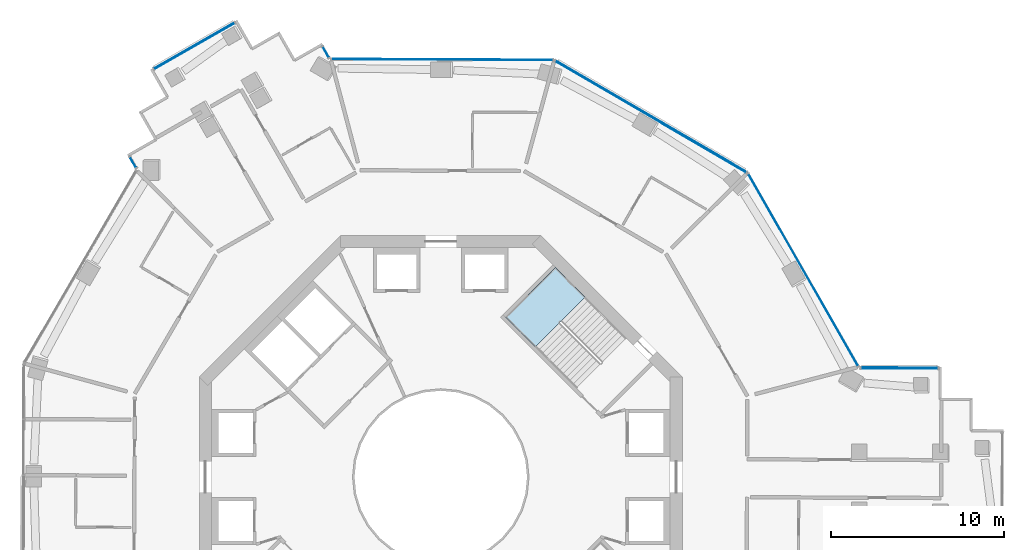
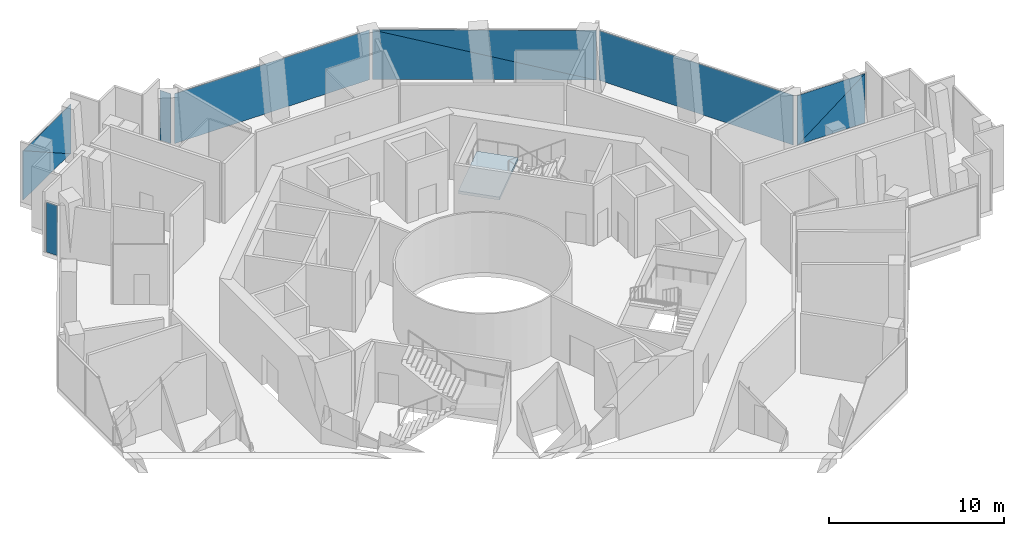
# One storey, part 9 of 16: 10 plates, 1 slab, 8 elements without a shape of their own.
"""IFC4 building model written with IfcOpenShell, lengths in metres."""

from ifc_helpers import new_model, si_unit, direction, frame, origin, origin_2d, place, context, subcontext, project, spatial, polyline, rectangle, outline, extrude, material, layer, layer_set, type_object, element, aggregate, save


model = new_model("IFC4")

# Units and contexts
model_context = context("Model", 3, precision=1e-05, world=origin(), true_north=direction((0.0, 1.0)))
body_context = subcontext(model_context, "Body", "Model", "MODEL_VIEW")
ifc_project = project(units=[si_unit("LENGTHUNIT", "METRE"), si_unit("AREAUNIT", "SQUARE_METRE"), si_unit("VOLUMEUNIT", "CUBIC_METRE"), si_unit("PLANEANGLEUNIT", "RADIAN"), si_unit("MASSUNIT", "GRAM", prefix="KILO")], contexts=[model_context])

# Site, building, storey
site_placement = place(None, origin())
site = spatial("IfcSite", under=ifc_project, at=site_placement, CompositionType="ELEMENT")
building_placement = place(site_placement, origin())
building = spatial("IfcBuilding", under=site, at=building_placement, Name="Verdalira Terraces Hotel", CompositionType="ELEMENT")
storey_placement = place(building_placement, frame((0.0, 0.0, 154.0)))
storey = spatial("IfcBuildingStorey", under=building, at=storey_placement, Name="L37", CompositionType="ELEMENT", Elevation=154.0)

# Curtain wall, plate
ifc_material_1 = material(Name="Clear glass", Category="glass")
ifc_layer_1 = layer(ifc_material_1, 0.179931640625)
ifc_layer_set_1 = layer_set([ifc_layer_1], Name="CW4 curtain wall")
curtain_wall_type = type_object("IfcCurtainWallType", Name="CW4 curtain wall", PredefinedType="NOTDEFINED", material=ifc_layer_set_1)
curtain_wall_1_placement = place(storey_placement, origin())
curtain_wall_1 = element("IfcCurtainWall", 1, at=curtain_wall_1_placement, inside=storey, type_object=curtain_wall_type, Name="CW4 curtain wall L37 edge 0", PredefinedType="NOTDEFINED")
ifc_material_2 = material(Name="Clear glass", Category="glass")
ifc_layer_2 = layer(ifc_material_2, 0.035888671875)
ifc_layer_set_2 = layer_set([ifc_layer_2], Name="CW4 glass unit 36")
plate_type = type_object("IfcPlateType", Name="CW4 glass unit 36", PredefinedType="CURTAIN_PANEL", material=ifc_layer_set_2)
plate_1_placement = place(storey_placement, frame((-6.665771, 24.63208, 0.0), z_axis=(0.0, 0.0, 1.0), x_axis=(-0.496368025, 0.868112195, 0.0)))
plate_1 = element("IfcPlate", 2, at=plate_1_placement, type_object=plate_type, Name="CW4 glass unit", PredefinedType="CURTAIN_PANEL", context=body_context, shape_type="SweptSolid", body=[
    extrude(rectangle(XDim=0.702637, YDim=0.035889, at=origin_2d()), origin(), (0.0, 0.0, 1.0), 3.469971),
])
aggregate(curtain_wall_1, [plate_1])

# Curtain wall, plates
curtain_wall_2_placement = place(storey_placement, origin())
curtain_wall_2 = element("IfcCurtainWall", 3, at=curtain_wall_2_placement, inside=storey, type_object=curtain_wall_type, Name="CW4 curtain wall L37 edge 5", PredefinedType="NOTDEFINED")
plate_2_placement = place(storey_placement, frame((-14.285889, 24.984619, 1.735107), z_axis=(-0.496368025, 0.868112195, 0.0), x_axis=(-0.868112195, -0.496368025, 0.0)))
plate_2 = element("IfcPlate", 4, at=plate_2_placement, type_object=plate_type, Name="CW4 glass unit", PredefinedType="CURTAIN_PANEL", context=body_context, shape_type="SweptSolid", body=[
    extrude(outline(polyline([(-2.685059, -1.734863), (2.685059, -1.734863), (2.685059, 1.734863), (-2.685059, -1.734863)])), origin(), (0.0, 0.0, 1.0), 0.035889),
])
plate_3_placement = place(storey_placement, frame((-14.267334, 24.952393, 1.735107), z_axis=(-0.496368025, 0.868112195, 0.0), x_axis=(-0.868112195, -0.496368025, 0.0)))
plate_3 = element("IfcPlate", 5, at=plate_3_placement, type_object=plate_type, Name="CW4 glass unit", PredefinedType="CURTAIN_PANEL", context=body_context, shape_type="SweptSolid", body=[
    extrude(outline(polyline([(-2.685059, -1.734863), (2.685059, 1.734863), (-2.685059, 1.734863), (-2.685059, -1.734863)])), origin(), (0.0, 0.0, 1.0), 0.035889),
])
aggregate(curtain_wall_2, [plate_2, plate_3])

# Curtain wall, plate
curtain_wall_3_placement = place(storey_placement, origin())
curtain_wall_3 = element("IfcCurtainWall", 6, at=curtain_wall_3_placement, inside=storey, type_object=curtain_wall_type, Name="CW4 curtain wall L37 edge 10", PredefinedType="NOTDEFINED")
plate_4_placement = place(storey_placement, frame((-17.846924, 18.23877, 0.0), z_axis=(0.0, 0.0, 1.0), x_axis=(0.496368025, -0.868112195, 0.0)))
plate_4 = element("IfcPlate", 7, at=plate_4_placement, type_object=plate_type, Name="CW4 glass unit", PredefinedType="CURTAIN_PANEL", context=body_context, shape_type="SweptSolid", body=[
    extrude(rectangle(XDim=0.702637, YDim=0.035889, at=origin_2d()), origin(), (0.0, 0.0, 1.0), 3.469971),
])
aggregate(curtain_wall_3, [plate_4])

# Curtain wall, plates
curtain_wall_4_placement = place(storey_placement, origin())
curtain_wall_4 = element("IfcCurtainWall", 8, at=curtain_wall_4_placement, inside=storey, type_object=curtain_wall_type, Name="CW4 curtain wall L37 edge 38", PredefinedType="NOTDEFINED")
plate_5_placement = place(storey_placement, frame((26.593994, 6.310791, 1.735107), z_axis=(0.004188778, 0.999991227, 0.0), x_axis=(-0.999991227, 0.004188778, 0.0)))
plate_5 = element("IfcPlate", 9, at=plate_5_placement, type_object=plate_type, Name="CW4 glass unit", PredefinedType="CURTAIN_PANEL", context=body_context, shape_type="SweptSolid", body=[
    extrude(outline(polyline([(-2.226562, -1.734863), (2.226562, -1.734863), (-2.226562, 1.734863), (-2.226562, -1.734863)])), origin(), (0.0, 0.0, 1.0), 0.035889),
])
plate_6_placement = place(storey_placement, frame((26.59375, 6.273682, 1.735107), z_axis=(0.004188778, 0.999991227, 0.0), x_axis=(-0.999991227, 0.004188778, 0.0)))
plate_6 = element("IfcPlate", 10, at=plate_6_placement, type_object=plate_type, Name="CW4 glass unit", PredefinedType="CURTAIN_PANEL", context=body_context, shape_type="SweptSolid", body=[
    extrude(outline(polyline([(2.226562, -1.734863), (2.226562, 1.734863), (-2.226562, 1.734863), (2.226562, -1.734863)])), origin(), (0.0, 0.0, 1.0), 0.035889),
])
aggregate(curtain_wall_4, [plate_5, plate_6])

# Curtain wall, plate
curtain_wall_5_placement = place(storey_placement, origin())
curtain_wall_5 = element("IfcCurtainWall", 11, at=curtain_wall_5_placement, inside=storey, type_object=curtain_wall_type, Name="CW4 curtain wall L37 edge 39", PredefinedType="NOTDEFINED")
plate_7_placement = place(storey_placement, frame((21.012451, 12.001465, 0.0), z_axis=(0.0, 0.0, 1.0), x_axis=(-0.496368025, 0.868112195, 0.0)))
plate_7 = element("IfcPlate", 12, at=plate_7_placement, type_object=plate_type, Name="CW4 glass unit", PredefinedType="CURTAIN_PANEL", context=body_context, shape_type="SweptSolid", body=[
    extrude(rectangle(XDim=12.8125, YDim=0.035889, at=origin_2d()), origin(), (0.0, 0.0, 1.0), 3.469971),
])
aggregate(curtain_wall_5, [plate_7])

# Curtain wall, plates
curtain_wall_6_placement = place(storey_placement, origin())
curtain_wall_6 = element("IfcCurtainWall", 13, at=curtain_wall_6_placement, inside=storey, type_object=curtain_wall_type, Name="CW4 curtain wall L37 edge 40", PredefinedType="NOTDEFINED")
plate_8_placement = place(storey_placement, frame((12.177734, 20.890137, 1.735107), z_axis=(0.503623202, 0.863923417, 0.0), x_axis=(-0.863923417, 0.503623202, 0.0)))
plate_8 = element("IfcPlate", 14, at=plate_8_placement, type_object=plate_type, Name="CW4 glass unit", PredefinedType="CURTAIN_PANEL", context=body_context, shape_type="SweptSolid", body=[
    extrude(outline(polyline([(-6.394775, -1.734863), (6.394775, -1.734863), (6.394775, 1.734863), (-6.394775, -1.734863)])), origin(), (0.0, 0.0, 1.0), 0.035889),
])
plate_9_placement = place(storey_placement, frame((12.158936, 20.85791, 1.735107), z_axis=(0.503623202, 0.863923417, 0.0), x_axis=(-0.863923417, 0.503623202, 0.0)))
plate_9 = element("IfcPlate", 15, at=plate_9_placement, type_object=plate_type, Name="CW4 glass unit", PredefinedType="CURTAIN_PANEL", context=body_context, shape_type="SweptSolid", body=[
    extrude(outline(polyline([(-6.394775, -1.734863), (6.394775, 1.734863), (-6.394775, 1.734863), (-6.394775, -1.734863)])), origin(), (0.0, 0.0, 1.0), 0.035889),
])
aggregate(curtain_wall_6, [plate_8, plate_9])

# Curtain wall, plate
curtain_wall_7_placement = place(storey_placement, origin())
curtain_wall_7 = element("IfcCurtainWall", 16, at=curtain_wall_7_placement, inside=storey, type_object=curtain_wall_type, Name="CW4 curtain wall L37 edge 41", PredefinedType="NOTDEFINED")
plate_10_placement = place(storey_placement, frame((0.089844, 24.198242, 0.0), z_axis=(0.0, 0.0, 1.0), x_axis=(-0.999991227, 0.004188778, 0.0)))
plate_10 = element("IfcPlate", 17, at=plate_10_placement, type_object=plate_type, Name="CW4 glass unit", PredefinedType="CURTAIN_PANEL", context=body_context, shape_type="SweptSolid", body=[
    extrude(rectangle(XDim=12.8125, YDim=0.035889, at=origin_2d()), origin(), (0.0, 0.0, 1.0), 3.469971),
])
aggregate(curtain_wall_7, [plate_10])

# Stair, slab
ifc_material_3 = material(Name="Concrete C40", Category="concrete")
stair_type = type_object("IfcStairType", Name="Core stair 26 risers 2000 mm wide", PredefinedType="HALF_TURN_STAIR", material=ifc_material_3)
stair_placement = place(storey_placement, origin())
stair = element("IfcStair", 18, at=stair_placement, inside=storey, type_object=stair_type, Name="L37 Exit stair ST1", PredefinedType="HALF_TURN_STAIR")
ifc_material_4 = material(Name="Concrete C40", Category="concrete")
ifc_layer_3 = layer(ifc_material_4, 0.199951171875)
ifc_layer_set_3 = layer_set([ifc_layer_3], Name="Core stair landing 200 mm")
slab_type = type_object("IfcSlabType", Name="Core stair landing 200 mm", PredefinedType="LANDING", material=ifc_layer_set_3)
slab_placement = place(storey_placement, frame((0.0, 0.0, 2.050049)))
slab = element("IfcSlab", 19, at=slab_placement, type_object=slab_type, Name="ST1 landing 1", PredefinedType="LANDING", context=body_context, shape_type="SweptSolid", body=[
    extrude(outline(polyline([(8.372559, 10.436523), (6.646729, 12.162354), (3.747559, 9.263184), (5.473389, 7.537354), (8.372559, 10.436523)])), origin(), (0.0, 0.0, 1.0), 0.199951),
])
aggregate(stair, [slab])

save(model, "model.ifc")
